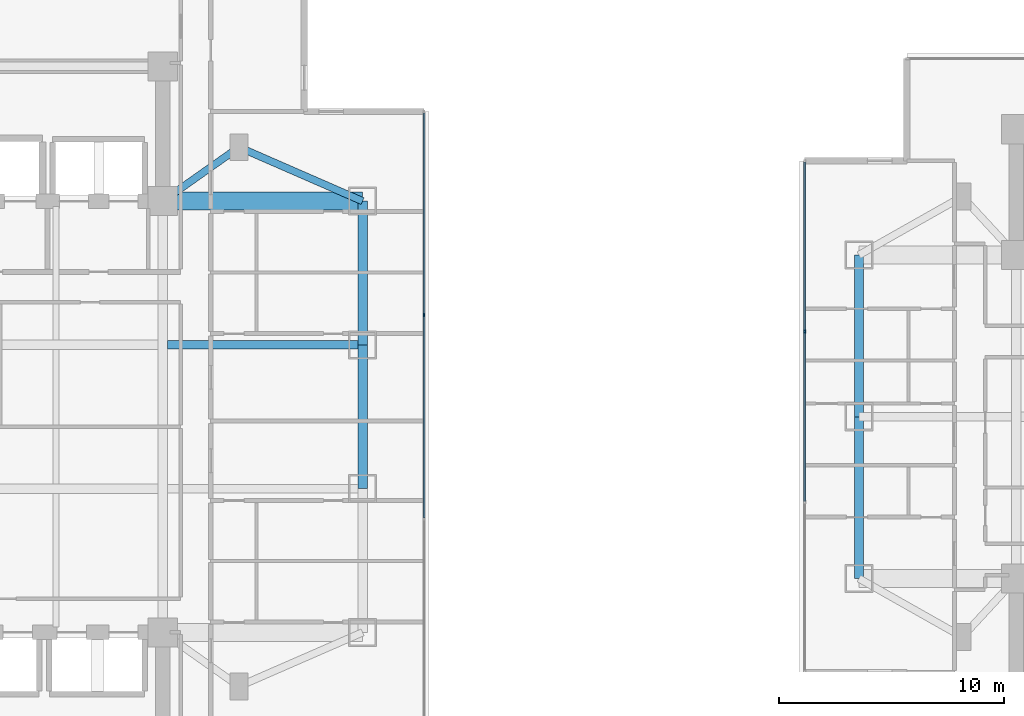
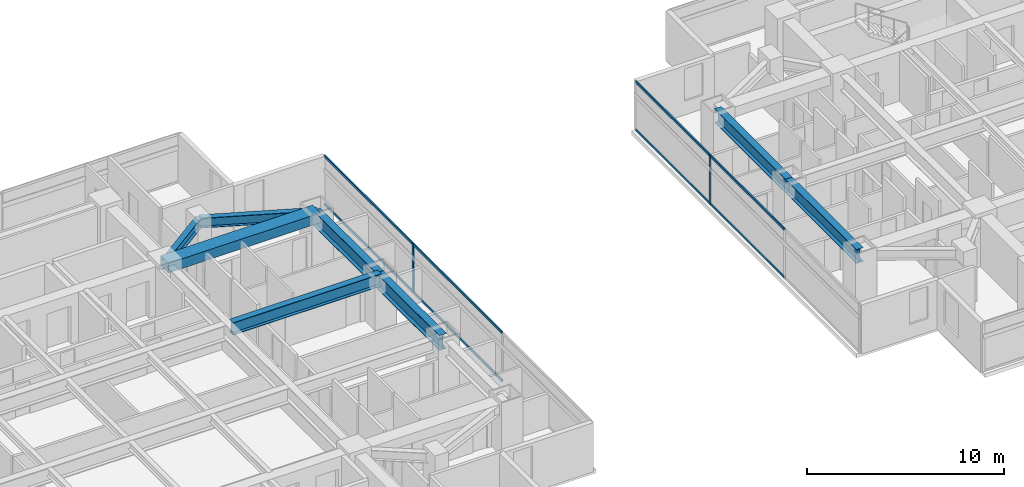
# One storey, part 5 of 25: 10 members, 8 beams, 2 elements without a shape of their own.
"""IFC4 building model written with IfcOpenShell, lengths in metres."""

from ifc_helpers import new_model, si_unit, direction, frame, origin, origin_2d, place, context, subcontext, project, spatial, rectangle, i_section, extrude, material, material_profile, profile_set, type_object, element, aggregate, save


model = new_model("IFC4")

# Units and contexts
model_context = context("Model", 3, precision=1e-05, world=origin(), true_north=direction((0.0, 1.0)))
body_context = subcontext(model_context, "Body", "Model", "MODEL_VIEW")
ifc_project = project(units=[si_unit("LENGTHUNIT", "METRE"), si_unit("AREAUNIT", "SQUARE_METRE"), si_unit("VOLUMEUNIT", "CUBIC_METRE"), si_unit("PLANEANGLEUNIT", "RADIAN"), si_unit("MASSUNIT", "GRAM", prefix="KILO")], contexts=[model_context])

# Site, building, storey
site_placement = place(None, origin())
site = spatial("IfcSite", under=ifc_project, at=site_placement, CompositionType="ELEMENT")
building_placement = place(site_placement, origin())
building = spatial("IfcBuilding", under=site, at=building_placement, Name="Mirazonda Arch Towers", CompositionType="ELEMENT")
storey_placement = place(building_placement, frame((0.0, 0.0, 58.699951171875)))
storey = spatial("IfcBuildingStorey", under=building, at=storey_placement, Name="L16", CompositionType="ELEMENT", Elevation=58.699951171875)

# Beams
ifc_material_1 = material(Name="Steel ASTM A992 Grade 50", Category="steel")
ifc_material_profile_1 = material_profile(ifc_material_1, i_section(OverallWidth=0.39990234375, OverallDepth=0.85595703125, WebThickness=0.018310546875, FlangeThickness=0.029296875, at=origin_2d()), Name="W33X201")
ifc_profile_set_1 = profile_set([ifc_material_profile_1], Name="Steel ASTM A992 Grade 50")
beam_type_1 = type_object("IfcBeamType", Name="BM-EXT-W33X201", PredefinedType="USERDEFINED", material=ifc_profile_set_1)
for number, where, z_axis, x_axis, name in (
    (1, (61.0, 20.800048828125, 2.632080078125), (0.0, 1.0, 0.0), (-1.0, 0.0, 0.0), "L16 Floor Beam BM-T2-L16-NS-W-20"),
    (2, (61.0, 28.0, 2.632080078125), (0.0, 1.0, 0.0), (-1.0, 0.0, 0.0), "L16 Floor Beam BM-T2-L16-NS-W-28"),
):
    element("IfcBeam", number, at=place(storey_placement, frame(where, z_axis=z_axis, x_axis=x_axis)), inside=storey, type_object=beam_type_1, Name=name, ObjectType="GIRDER", PredefinedType="USERDEFINED", context=body_context, shape_type="SweptSolid", body=[
        extrude(i_section(OverallWidth=0.39990234375, OverallDepth=0.85595703125, WebThickness=0.018310546875, FlangeThickness=0.029296875, at=origin_2d()), origin(), (0.0, 0.0, 1.0), 7.199951171875),
    ])
ifc_material_profile_2 = material_profile(ifc_material_1, i_section(OverallWidth=0.41796875, OverallDepth=0.927001953125, WebThickness=0.019287109375, FlangeThickness=0.031982421875, at=origin_2d()), Name="W36X231")
ifc_profile_set_2 = profile_set([ifc_material_profile_2], Name="Steel ASTM A992 Grade 50")
beam_type_2 = type_object("IfcBeamType", Name="BM-EXT-W36X231", PredefinedType="USERDEFINED", material=ifc_profile_set_2)
beam_1_placement = place(storey_placement, frame((38.89990234375, 24.800048828125, 2.596435546875), z_axis=(0.0, 1.0, 0.0), x_axis=(-1.0, 0.0, 0.0)))
element("IfcBeam", 3, at=beam_1_placement, inside=storey, type_object=beam_type_2, Name="L16 Floor Beam BM-T1-L16-NS-E-24", ObjectType="GIRDER", PredefinedType="USERDEFINED", context=body_context, shape_type="SweptSolid", body=[
    extrude(i_section(OverallWidth=0.41796875, OverallDepth=0.927001953125, WebThickness=0.019287109375, FlangeThickness=0.031982421875, at=origin_2d()), origin(), (0.0, 0.0, 1.0), 6.39990234375),
])
beam_2_placement = place(storey_placement, frame((38.89990234375, 31.199951171875, 2.596435546875), z_axis=(0.0, 1.0, 0.0), x_axis=(-1.0, 0.0, 0.0)))
element("IfcBeam", 4, at=beam_2_placement, inside=storey, type_object=beam_type_2, Name="L16 Floor Beam BM-T1-L16-NS-E-31", ObjectType="GIRDER", PredefinedType="USERDEFINED", context=body_context, shape_type="SweptSolid", body=[
    extrude(i_section(OverallWidth=0.41796875, OverallDepth=0.927001953125, WebThickness=0.019287109375, FlangeThickness=0.031982421875, at=origin_2d()), origin(), (0.0, 0.0, 1.0), 6.400146484375),
])
ifc_material_profile_3 = material_profile(ifc_material_1, i_section(OverallWidth=0.324951171875, OverallDepth=0.615966796875, WebThickness=0.013916015625, FlangeThickness=0.021484375, at=origin_2d()), Name="W24X117")
ifc_profile_set_3 = profile_set([ifc_material_profile_3], Name="Steel ASTM A992 Grade 50")
beam_type_3 = type_object("IfcBeamType", Name="BM-INT-W24X117", PredefinedType="BEAM", material=ifc_profile_set_3)
beam_3_placement = place(storey_placement, frame((33.39990234375, 40.0, 2.751953125), z_axis=(-0.816971114901, -0.576678591087, 0.0), x_axis=(0.576678591087, -0.816971114901, 0.0)))
element("IfcBeam", 5, at=beam_3_placement, inside=storey, type_object=beam_type_3, Name="L16 Floor Beam BM-T1-L16-PL-NE1", PredefinedType="BEAM", context=body_context, shape_type="SweptSolid", body=[
    extrude(i_section(OverallWidth=0.324951171875, OverallDepth=0.615966796875, WebThickness=0.013916015625, FlangeThickness=0.021484375, at=origin_2d()), origin(), (0.0, 0.0, 1.0), 4.16162109375),
])
beam_4_placement = place(storey_placement, frame((33.39990234375, 40.0, 2.751953125), z_axis=(0.916545343703, -0.399930785183, 0.0), x_axis=(0.399930785183, 0.916545343703, 0.0)))
element("IfcBeam", 6, at=beam_4_placement, inside=storey, type_object=beam_type_3, Name="L16 Floor Beam BM-T1-L16-PL-NE2", PredefinedType="BEAM", context=body_context, shape_type="SweptSolid", body=[
    extrude(i_section(OverallWidth=0.324951171875, OverallDepth=0.615966796875, WebThickness=0.013916015625, FlangeThickness=0.021484375, at=origin_2d()), origin(), (0.0, 0.0, 1.0), 6.000732421875),
])
ifc_material_profile_4 = material_profile(ifc_material_1, i_section(OverallWidth=0.381103515625, OverallDepth=0.77294921875, WebThickness=0.0166015625, FlangeThickness=0.027099609375, at=origin_2d()), Name="W30X173")
ifc_profile_set_4 = profile_set([ifc_material_profile_4], Name="Steel ASTM A992 Grade 50")
beam_type_4 = type_object("IfcBeamType", Name="BM-INT-W30X173", PredefinedType="USERDEFINED", material=ifc_profile_set_4)
beam_5_placement = place(storey_placement, frame((30.21142578125, 31.199951171875, 2.673583984375), z_axis=(1.0, 0.0, 0.0), x_axis=(0.0, 1.0, 0.0)))
element("IfcBeam", 7, at=beam_5_placement, inside=storey, type_object=beam_type_4, Name="L16 Floor Beam BM-T1-L16-GE3", ObjectType="GIRDER", PredefinedType="USERDEFINED", context=body_context, shape_type="SweptSolid", body=[
    extrude(i_section(OverallWidth=0.381103515625, OverallDepth=0.77294921875, WebThickness=0.0166015625, FlangeThickness=0.027099609375, at=origin_2d()), origin(), (0.0, 0.0, 1.0), 8.6884765625),
])
ifc_material_2 = material(Name="Concrete C60/75", Category="concrete")
ifc_material_profile_5 = material_profile(ifc_material_2, rectangle(XDim=0.800048828125, YDim=0.60009765625, at=origin_2d()), Name="RCCB800x600")
ifc_profile_set_5 = profile_set([ifc_material_profile_5], Name="Concrete C60/75")
beam_type_5 = type_object("IfcBeamType", Name="CB-INT-RCCB800x600", PredefinedType="SPANDREL", material=ifc_profile_set_5)
beam_6_placement = place(storey_placement, frame((30.0, 37.60009765625, 2.760009765625), z_axis=(1.0, 0.0, 0.0), x_axis=(0.0, 1.0, 0.0)))
element("IfcBeam", 8, at=beam_6_placement, inside=storey, type_object=beam_type_5, Name="L16 Floor Beam CBC-T1-L16-NE", PredefinedType="SPANDREL", context=body_context, shape_type="SweptSolid", body=[
    extrude(rectangle(XDim=0.800048828125, YDim=0.60009765625, at=origin_2d()), origin(), (0.0, 0.0, 1.0), 8.89990234375),
])

# Curtain wall, member
ifc_material_3 = material(Name="Anodised Aluminium and Low-E Glass", Category="aluminium")
curtain_wall_type = type_object("IfcCurtainWallType", Name="CW-HTL-UNIT", PredefinedType="NOTDEFINED", material=ifc_material_3)
curtain_wall_1_placement = place(storey_placement, origin())
curtain_wall_1 = element("IfcCurtainWall", 9, at=curtain_wall_1_placement, inside=storey, type_object=curtain_wall_type, Name="L16 T1 E Facade CW-L16-T1-E", PredefinedType="NOTDEFINED")
ifc_material_4 = material(Name="Anodised Aluminium Alloy", Category="aluminium")
ifc_material_profile_6 = material_profile(ifc_material_4, rectangle(XDim=0.074951171875, YDim=0.1650390625, at=origin_2d()), Name="ALU-MULL-75x165")
ifc_profile_set_6 = profile_set([ifc_material_profile_6], Name="Anodised Aluminium Alloy")
member_type_1 = type_object("IfcMemberType", Name="MULL-CW-HTL-UNIT", PredefinedType="MULLION", material=ifc_profile_set_6)
member_1_placement = place(storey_placement, frame((41.639892578125, 32.531982421875, 0.0), z_axis=(0.0, 0.0, 1.0), x_axis=(-1.0, 0.0, 0.0)))
member_1 = element("IfcMember", 10, at=member_1_placement, type_object=member_type_1, Name="CW-112 mullion 3", PredefinedType="MULLION", context=body_context, shape_type="SweptSolid", body=[
    extrude(rectangle(XDim=0.074951171875, YDim=0.1650390625, at=origin_2d()), origin(), (0.0, 0.0, 1.0), 3.0400390625),
])

curtain_wall_2_placement = place(storey_placement, origin())
curtain_wall_2 = element("IfcCurtainWall", 11, at=curtain_wall_2_placement, inside=storey, type_object=curtain_wall_type, Name="L16 T2 W Facade CW-L16-T2-W", PredefinedType="NOTDEFINED")
member_2_placement = place(storey_placement, frame((58.583984375, 31.798828125, 0.0), z_axis=(0.0, 0.0, 1.0), x_axis=(1.0, 0.0, 0.0)))
member_2 = element("IfcMember", 12, at=member_2_placement, type_object=member_type_1, Name="CW-112 mullion 2", PredefinedType="MULLION", context=body_context, shape_type="SweptSolid", body=[
    extrude(rectangle(XDim=0.074951171875, YDim=0.1650390625, at=origin_2d()), origin(), (0.0, 0.0, 1.0), 3.0400390625),
])

# Member
ifc_material_profile_7 = material_profile(ifc_material_4, rectangle(XDim=0.074951171875, YDim=0.14501953125, at=origin_2d()), Name="ALU-TRAN-75x145")
ifc_profile_set_7 = profile_set([ifc_material_profile_7], Name="Anodised Aluminium Alloy")
member_type_2 = type_object("IfcMemberType", Name="TRAN-CW-HTL-UNIT", PredefinedType="USERDEFINED", material=ifc_profile_set_7)
member_3_placement = place(storey_placement, frame((41.639892578125, 23.505615234375, 0.03759765625), z_axis=(0.0, 1.0, 0.0), x_axis=(-1.0, 0.0, 0.0)))
member_3 = element("IfcMember", 13, at=member_3_placement, type_object=member_type_2, Name="CW-112 transom 2.1", ObjectType="TRANSOM", PredefinedType="USERDEFINED", context=body_context, shape_type="SweptSolid", body=[
    extrude(rectangle(XDim=0.074951171875, YDim=0.14501953125, at=origin_2d()), origin(), (0.0, 0.0, 1.0), 8.98876953125),
])

member_4_placement = place(storey_placement, frame((41.639892578125, 23.505615234375, 3.00244140625), z_axis=(0.0, 1.0, 0.0), x_axis=(-1.0, 0.0, 0.0)))
member_4 = element("IfcMember", 14, at=member_4_placement, type_object=member_type_2, Name="CW-112 transom 2.2", ObjectType="TRANSOM", PredefinedType="USERDEFINED", context=body_context, shape_type="SweptSolid", body=[
    extrude(rectangle(XDim=0.074951171875, YDim=0.14501953125, at=origin_2d()), origin(), (0.0, 0.0, 1.0), 8.98876953125),
])

member_5_placement = place(storey_placement, frame((41.639892578125, 32.569580078125, 0.03759765625), z_axis=(0.0, 1.0, 0.0), x_axis=(-1.0, 0.0, 0.0)))
member_5 = element("IfcMember", 15, at=member_5_placement, type_object=member_type_2, Name="CW-112 transom 3.1", ObjectType="TRANSOM", PredefinedType="USERDEFINED", context=body_context, shape_type="SweptSolid", body=[
    extrude(rectangle(XDim=0.074951171875, YDim=0.14501953125, at=origin_2d()), origin(), (0.0, 0.0, 1.0), 8.951416015625),
])

member_6_placement = place(storey_placement, frame((41.639892578125, 32.569580078125, 3.00244140625), z_axis=(0.0, 1.0, 0.0), x_axis=(-1.0, 0.0, 0.0)))
member_6 = element("IfcMember", 16, at=member_6_placement, type_object=member_type_2, Name="CW-112 transom 3.2", ObjectType="TRANSOM", PredefinedType="USERDEFINED", context=body_context, shape_type="SweptSolid", body=[
    extrude(rectangle(XDim=0.074951171875, YDim=0.14501953125, at=origin_2d()), origin(), (0.0, 0.0, 1.0), 8.951416015625),
])

aggregate(curtain_wall_1, [member_1, member_3, member_4, member_5, member_6])

member_7_placement = place(storey_placement, frame((58.583984375, 39.321533203125, 0.03759765625), z_axis=(0.0, -1.0, 0.0), x_axis=(1.0, 0.0, 0.0)))
member_7 = element("IfcMember", 17, at=member_7_placement, type_object=member_type_2, Name="CW-112 transom 1.1", ObjectType="TRANSOM", PredefinedType="USERDEFINED", context=body_context, shape_type="SweptSolid", body=[
    extrude(rectangle(XDim=0.074951171875, YDim=0.14501953125, at=origin_2d()), origin(), (0.0, 0.0, 1.0), 7.485107421875),
])

member_8_placement = place(storey_placement, frame((58.583984375, 39.321533203125, 3.00244140625), z_axis=(0.0, -1.0, 0.0), x_axis=(1.0, 0.0, 0.0)))
member_8 = element("IfcMember", 18, at=member_8_placement, type_object=member_type_2, Name="CW-112 transom 1.2", ObjectType="TRANSOM", PredefinedType="USERDEFINED", context=body_context, shape_type="SweptSolid", body=[
    extrude(rectangle(XDim=0.074951171875, YDim=0.14501953125, at=origin_2d()), origin(), (0.0, 0.0, 1.0), 7.485107421875),
])

member_9_placement = place(storey_placement, frame((58.583984375, 31.761474609375, 0.03759765625), z_axis=(0.0, -1.0, 0.0), x_axis=(1.0, 0.0, 0.0)))
member_9 = element("IfcMember", 19, at=member_9_placement, type_object=member_type_2, Name="CW-112 transom 2.1", ObjectType="TRANSOM", PredefinedType="USERDEFINED", context=body_context, shape_type="SweptSolid", body=[
    extrude(rectangle(XDim=0.074951171875, YDim=0.14501953125, at=origin_2d()), origin(), (0.0, 0.0, 1.0), 7.52294921875),
])

member_10_placement = place(storey_placement, frame((58.583984375, 31.761474609375, 3.00244140625), z_axis=(0.0, -1.0, 0.0), x_axis=(1.0, 0.0, 0.0)))
member_10 = element("IfcMember", 20, at=member_10_placement, type_object=member_type_2, Name="CW-112 transom 2.2", ObjectType="TRANSOM", PredefinedType="USERDEFINED", context=body_context, shape_type="SweptSolid", body=[
    extrude(rectangle(XDim=0.074951171875, YDim=0.14501953125, at=origin_2d()), origin(), (0.0, 0.0, 1.0), 7.52294921875),
])

aggregate(curtain_wall_2, [member_2, member_7, member_8, member_9, member_10])

save(model, "model.ifc")
